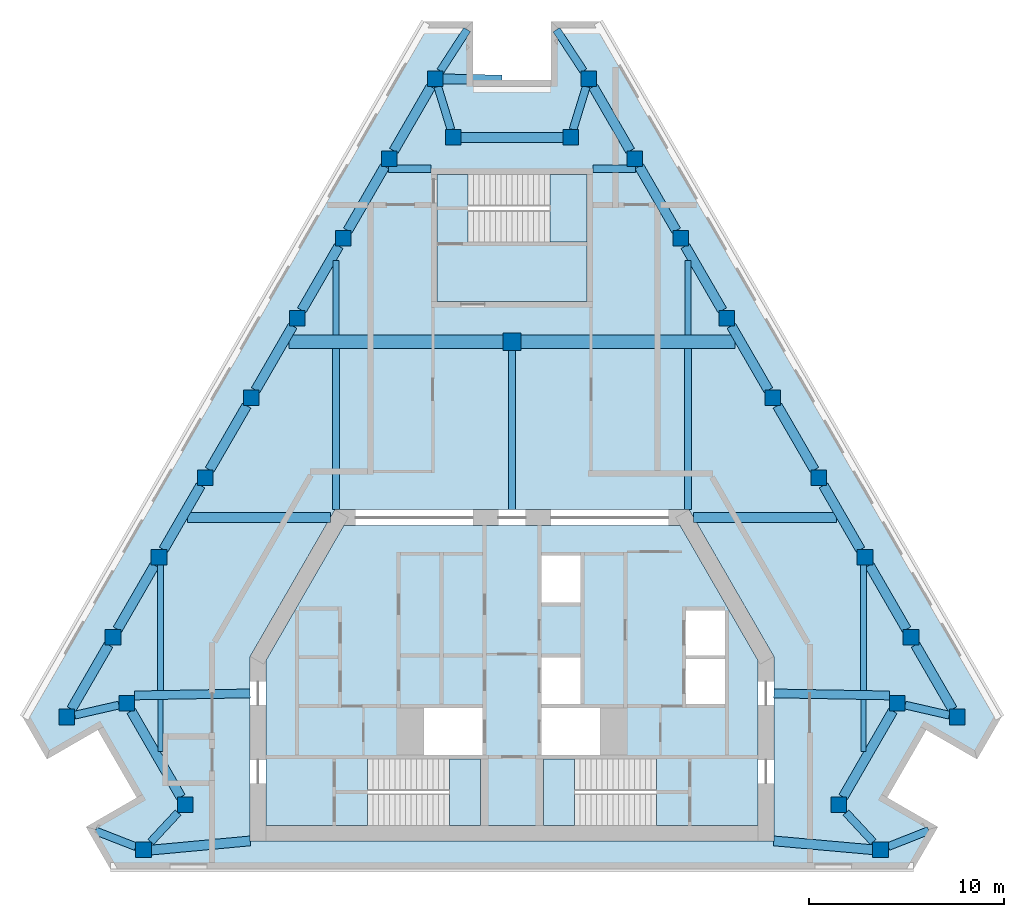
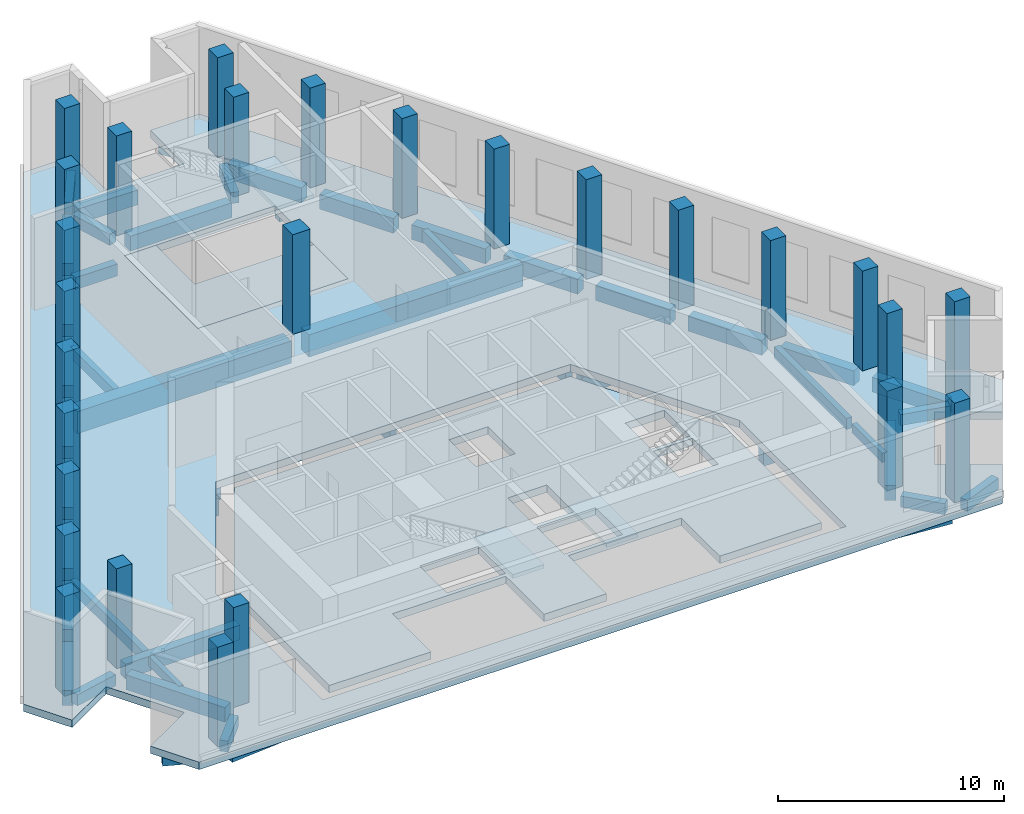
# One storey, part 1 of 8: 49 beams, 27 columns, 6 slabs, 3 elements without a shape of their own.
"""IFC4 building model written with IfcOpenShell, lengths in metres."""

from ifc_helpers import new_model, si_unit, direction, frame, origin, origin_2d, place, context, subcontext, project, spatial, polyline, rectangle, outline, extrude, material, layer, layer_set, material_profile, profile_set, type_object, element, aggregate, save


model = new_model("IFC4")

# Units and contexts
model_context = context("Model", 3, precision=1e-05, world=origin(), true_north=direction((0.0, 1.0)))
body_context = subcontext(model_context, "Body", "Model", "MODEL_VIEW")
ifc_project = project(units=[si_unit("LENGTHUNIT", "METRE"), si_unit("AREAUNIT", "SQUARE_METRE"), si_unit("VOLUMEUNIT", "CUBIC_METRE"), si_unit("PLANEANGLEUNIT", "RADIAN"), si_unit("MASSUNIT", "GRAM", prefix="KILO")], contexts=[model_context])

# Site, building, storey
site_placement = place(None, origin())
site = spatial("IfcSite", under=ifc_project, at=site_placement, CompositionType="ELEMENT")
building_placement = place(site_placement, origin())
building = spatial("IfcBuilding", under=site, at=building_placement, Name="Fogline Exchange Tower", CompositionType="ELEMENT")
storey_placement = place(building_placement, frame((0.0, 0.0, 304.5)))
storey = spatial("IfcBuildingStorey", under=building, at=storey_placement, Name="L69", CompositionType="ELEMENT", Elevation=304.5)

# Columns
ifc_material_1 = material(Name="Concrete C60", Category="concrete")
ifc_material_profile_1 = material_profile(ifc_material_1, rectangle(XDim=0.89990234375, YDim=0.89990234375, at=origin_2d()), Name="RC 900x900")
ifc_profile_set_1 = profile_set([ifc_material_profile_1], Name="Concrete C60")
column_type_1 = type_object("IfcColumnType", Name="C06", PredefinedType="COLUMN", material=ifc_profile_set_1)
column_placement = place(storey_placement, frame((0.0, 27.0, 0.0), z_axis=(0.0, 0.0, 1.0), x_axis=(1.0, 0.0, 0.0)))
element("IfcColumn", 1, at=column_placement, inside=storey, type_object=column_type_1, Name="IC-0-27", PredefinedType="COLUMN", context=body_context, shape_type="SweptSolid", body=[
    extrude(rectangle(XDim=0.89990234375, YDim=0.89990234375, at=origin_2d()), origin(), (0.0, 0.0, 1.0), 5.39990234375),
])
ifc_material_profile_2 = material_profile(ifc_material_1, rectangle(XDim=0.800048828125, YDim=0.800048828125, at=origin_2d()), Name="RC 800x800")
ifc_profile_set_2 = profile_set([ifc_material_profile_2], Name="Concrete C60")
column_type_2 = type_object("IfcColumnType", Name="C07", PredefinedType="COLUMN", material=ifc_profile_set_2)
for number, where, z_axis, x_axis, name in (
    (2, (-22.7802734375, 7.794189453125, 0.0), (0.0, 0.0, 1.0), (1.0, 0.0, 0.0), "SW-a"),
    (3, (-19.720947265625, 8.4951171875, 0.0), (0.0, 0.0, 1.0), (1.0, 0.0, 0.0), "SW-p4"),
    (4, (-16.720947265625, 3.299072265625, 0.0), (0.0, 0.0, 1.0), (1.0, 0.0, 0.0), "SW-p3"),
    (5, (-18.857666015625, 1.0, 0.0), (0.0, 0.0, 1.0), (1.0, 0.0, 0.0), "SW-b"),
    (6, (18.857666015625, 1.0, 0.0), (0.0, 0.0, 1.0), (1.0, 0.0, 0.0), "SE-a"),
    (7, (16.720947265625, 3.299072265625, 0.0), (0.0, 0.0, 1.0), (1.0, 0.0, 0.0), "SE-p4"),
    (8, (19.720947265625, 8.4951171875, 0.0), (0.0, 0.0, 1.0), (1.0, 0.0, 0.0), "SE-p3"),
    (9, (22.7802734375, 7.794189453125, 0.0), (0.0, 0.0, 1.0), (1.0, 0.0, 0.0), "SE-b"),
    (10, (20.423095703125, 11.876953125, 0.0), (0.0, 0.0, 1.0), (1.0, 0.0, 0.0), "E1"),
    (11, (18.06591796875, 15.959716796875, 0.0), (0.0, 0.0, 1.0), (1.0, 0.0, 0.0), "E2"),
    (12, (15.708740234375, 20.04248046875, 0.0), (0.0, 0.0, 1.0), (1.0, 0.0, 0.0), "E3"),
    (13, (13.3515625, 24.12548828125, 0.0), (0.0, 0.0, 1.0), (1.0, 0.0, 0.0), "E4"),
    (14, (10.994384765625, 28.208251953125, 0.0), (0.0, 0.0, 1.0), (1.0, 0.0, 0.0), "E5"),
    (15, (8.63720703125, 32.291015625, 0.0), (0.0, 0.0, 1.0), (1.0, 0.0, 0.0), "E6"),
    (16, (6.27978515625, 36.373779296875, 0.0), (0.0, 0.0, 1.0), (1.0, 0.0, 0.0), "E7"),
    (17, (3.922607421875, 40.456787109375, 0.0), (0.0, 0.0, 1.0), (1.0, 0.0, 0.0), "N-a"),
    (18, (3.0, 37.456787109375, 0.0), (0.0, 0.0, 1.0), (1.0, 0.0, 0.0), "N-p4"),
    (19, (-3.0, 37.456787109375, 0.0), (0.0, 0.0, 1.0), (1.0, 0.0, 0.0), "N-p3"),
    (20, (-3.922607421875, 40.456787109375, 0.0), (0.0, 0.0, 1.0), (1.0, 0.0, 0.0), "N-b"),
    (21, (-6.27978515625, 36.373779296875, 0.0), (0.0, 0.0, 1.0), (1.0, 0.0, 0.0), "W1"),
    (22, (-8.63720703125, 32.291015625, 0.0), (0.0, 0.0, 1.0), (1.0, 0.0, 0.0), "W2"),
    (23, (-10.994384765625, 28.208251953125, 0.0), (0.0, 0.0, 1.0), (1.0, 0.0, 0.0), "W3"),
    (24, (-13.3515625, 24.12548828125, 0.0), (0.0, 0.0, 1.0), (1.0, 0.0, 0.0), "W4"),
    (25, (-15.708740234375, 20.04248046875, 0.0), (0.0, 0.0, 1.0), (1.0, 0.0, 0.0), "W5"),
    (26, (-18.06591796875, 15.959716796875, 0.0), (0.0, 0.0, 1.0), (1.0, 0.0, 0.0), "W6"),
    (27, (-20.423095703125, 11.876953125, 0.0), (0.0, 0.0, 1.0), (1.0, 0.0, 0.0), "W7"),
):
    element("IfcColumn", number, at=place(storey_placement, frame(where, z_axis=z_axis, x_axis=x_axis)), inside=storey, type_object=column_type_2, Name=name, PredefinedType="COLUMN", context=body_context, shape_type="SweptSolid", body=[
        extrude(rectangle(XDim=0.800048828125, YDim=0.800048828125, at=origin_2d()), origin(), (0.0, 0.0, 1.0), 5.39990234375),
    ])

# Beams
ifc_material_2 = material(Name="Concrete C40", Category="concrete")
ifc_material_profile_3 = material_profile(ifc_material_2, rectangle(XDim=0.300048828125, YDim=0.60009765625, at=origin_2d()), Name="RC 300x600")
ifc_profile_set_3 = profile_set([ifc_material_profile_3], Name="Concrete C40")
beam_type_1 = type_object("IfcBeamType", Name="B06", PredefinedType="BEAM", material=ifc_profile_set_3)
beam_1_placement = place(storey_placement, frame((-18.0, 9.1435546875, -0.699951171875), z_axis=(0.0, 1.0, 0.0), x_axis=(-1.0, 0.0, 0.0)))
element("IfcBeam", 28, at=beam_1_placement, inside=storey, type_object=beam_type_1, Name="SB002", PredefinedType="BEAM", context=body_context, shape_type="SweptSolid", body=[
    extrude(rectangle(XDim=0.300048828125, YDim=0.60009765625, at=origin_2d()), origin(), (0.0, 0.0, 1.0), 6.416259765625),
])
for number, where, z_axis, x_axis, name in (
    (29, (-9.0, 27.35009765625, -0.699951171875), (0.0, 1.0, 0.0), (-1.0, 0.0, 0.0), "SB004"),
    (30, (9.0, 27.35009765625, -0.699951171875), (0.0, 1.0, 0.0), (-1.0, 0.0, 0.0), "SB007"),
):
    element("IfcBeam", number, at=place(storey_placement, frame(where, z_axis=z_axis, x_axis=x_axis)), inside=storey, type_object=beam_type_1, Name=name, PredefinedType="BEAM", context=body_context, shape_type="SweptSolid", body=[
        extrude(rectangle(XDim=0.300048828125, YDim=0.60009765625, at=origin_2d()), origin(), (0.0, 0.0, 1.0), 3.812255859375),
    ])
beam_2_placement = place(storey_placement, frame((18.0, 9.1435546875, -0.699951171875), z_axis=(0.0, 1.0, 0.0), x_axis=(-1.0, 0.0, 0.0)))
element("IfcBeam", 31, at=beam_2_placement, inside=storey, type_object=beam_type_1, Name="SB009", PredefinedType="BEAM", context=body_context, shape_type="SweptSolid", body=[
    extrude(rectangle(XDim=0.300048828125, YDim=0.60009765625, at=origin_2d()), origin(), (0.0, 0.0, 1.0), 6.416259765625),
])
ifc_material_profile_4 = material_profile(ifc_material_2, rectangle(XDim=0.25, YDim=0.5, at=origin_2d()), Name="RC 250x500")
ifc_profile_set_4 = profile_set([ifc_material_profile_4], Name="Concrete C40")
beam_type_2 = type_object("IfcBeamType", Name="B08", PredefinedType="BEAM", material=ifc_profile_set_4)
for number, where, z_axis, x_axis, name in (
    (32, (-18.0, 6.014404296875, -0.64990234375), (0.0, 1.0, 0.0), (-1.0, 0.0, 0.0), "SB001"),
    (33, (18.0, 6.014404296875, -0.64990234375), (0.0, 1.0, 0.0), (-1.0, 0.0, 0.0), "SB008"),
):
    element("IfcBeam", number, at=place(storey_placement, frame(where, z_axis=z_axis, x_axis=x_axis)), inside=storey, type_object=beam_type_2, Name=name, PredefinedType="BEAM", context=body_context, shape_type="SweptSolid", body=[
        extrude(rectangle(XDim=0.25, YDim=0.5, at=origin_2d()), origin(), (0.0, 0.0, 1.0), 2.67919921875),
    ])
ifc_material_profile_5 = material_profile(ifc_material_2, rectangle(XDim=0.5, YDim=0.800048828125, at=origin_2d()), Name="RC 500x800")
ifc_profile_set_5 = profile_set([ifc_material_profile_5], Name="Concrete C40")
beam_type_3 = type_object("IfcBeamType", Name="B10", PredefinedType="BEAM", material=ifc_profile_set_5)
beam_3_placement = place(storey_placement, frame((-19.489990234375, 8.09521484375, -0.800048828125), z_axis=(0.499987508774, -0.866032615477, 0.0), x_axis=(0.866032615477, 0.499987508774, 0.0)))
element("IfcBeam", 34, at=beam_3_placement, inside=storey, type_object=beam_type_3, Name="RB002", PredefinedType="BEAM", context=body_context, shape_type="SweptSolid", body=[
    extrude(rectangle(XDim=0.5, YDim=0.800048828125, at=origin_2d()), origin(), (0.0, 0.0, 1.0), 5.076416015625),
])
beam_4_placement = place(storey_placement, frame((-18.457763671875, 0.981689453125, -0.800048828125), z_axis=(0.995741736268, 0.092186737952, 0.0), x_axis=(-0.092186737952, 0.995741736268, 0.0)))
element("IfcBeam", 35, at=beam_4_placement, inside=storey, type_object=beam_type_3, Name="RB004", PredefinedType="BEAM", context=body_context, shape_type="SweptSolid", body=[
    extrude(rectangle(XDim=0.5, YDim=0.800048828125, at=origin_2d()), origin(), (0.0, 0.0, 1.0), 5.07958984375),
])
beam_5_placement = place(storey_placement, frame((13.39990234375, 1.449951171875, -0.800048828125), z_axis=(0.996066324908, -0.088610814153, 0.0), x_axis=(0.088610814153, 0.996066324908, 0.0)))
element("IfcBeam", 36, at=beam_5_placement, inside=storey, type_object=beam_type_3, Name="RB005", PredefinedType="BEAM", context=body_context, shape_type="SweptSolid", body=[
    extrude(rectangle(XDim=0.5, YDim=0.800048828125, at=origin_2d()), origin(), (0.0, 0.0, 1.0), 5.077880859375),
])
beam_6_placement = place(storey_placement, frame((16.951904296875, 3.698974609375, -0.800048828125), z_axis=(0.499987508774, 0.866032615477, 0.0), x_axis=(-0.866032615477, 0.499987508774, 0.0)))
element("IfcBeam", 37, at=beam_6_placement, inside=storey, type_object=beam_type_3, Name="RB007", PredefinedType="BEAM", context=body_context, shape_type="SweptSolid", body=[
    extrude(rectangle(XDim=0.5, YDim=0.800048828125, at=origin_2d()), origin(), (0.0, 0.0, 1.0), 5.076416015625),
])
beam_7_placement = place(storey_placement, frame((22.54931640625, 8.194091796875, -0.800048828125), z_axis=(-0.499969613651, 0.86604294664, 0.0), x_axis=(-0.86604294664, -0.499969613651, 0.0)))
element("IfcBeam", 38, at=beam_7_placement, inside=storey, type_object=beam_type_3, Name="RB009", PredefinedType="BEAM", context=body_context, shape_type="SweptSolid", body=[
    extrude(rectangle(XDim=0.5, YDim=0.800048828125, at=origin_2d()), origin(), (0.0, 0.0, 1.0), 3.790771484375),
])
for number, where, z_axis, x_axis, name in (
    (39, (20.192138671875, 12.277099609375, -0.800048828125), (-0.499997501644, 0.866026846206, 0.0), (-0.866026846206, -0.499997501644, 0.0), "RB010"),
    (40, (17.8349609375, 16.35986328125, -0.800048828125), (-0.499997501644, 0.866026846206, 0.0), (-0.866026846206, -0.499997501644, 0.0), "RB011"),
    (41, (15.477783203125, 20.442626953125, -0.800048828125), (-0.499997501644, 0.866026846206, 0.0), (-0.866026846206, -0.499997501644, 0.0), "RB012"),
):
    element("IfcBeam", number, at=place(storey_placement, frame(where, z_axis=z_axis, x_axis=x_axis)), inside=storey, type_object=beam_type_3, Name=name, PredefinedType="BEAM", context=body_context, shape_type="SweptSolid", body=[
        extrude(rectangle(XDim=0.5, YDim=0.800048828125, at=origin_2d()), origin(), (0.0, 0.0, 1.0), 3.79052734375),
    ])
for number, where, z_axis, x_axis, name in (
    (42, (13.12060546875, 24.525390625, -0.800048828125), (-0.500045805297, 0.865998956469, 0.0), (-0.865998956469, -0.500045805297, 0.0), "RB013"),
    (43, (10.76318359375, 28.608154296875, -0.800048828125), (-0.499969613651, 0.86604294664, 0.0), (-0.86604294664, -0.499969613651, 0.0), "RB014"),
    (44, (8.406005859375, 32.69091796875, -0.800048828125), (-0.499969613651, 0.86604294664, 0.0), (-0.86604294664, -0.499969613651, 0.0), "RB015"),
    (45, (6.048828125, 36.773681640625, -0.800048828125), (-0.499969613651, 0.86604294664, 0.0), (-0.86604294664, -0.499969613651, 0.0), "RB016"),
):
    element("IfcBeam", number, at=place(storey_placement, frame(where, z_axis=z_axis, x_axis=x_axis)), inside=storey, type_object=beam_type_3, Name=name, PredefinedType="BEAM", context=body_context, shape_type="SweptSolid", body=[
        extrude(rectangle(XDim=0.5, YDim=0.800048828125, at=origin_2d()), origin(), (0.0, 0.0, 1.0), 3.790771484375),
    ])
beam_8_placement = place(storey_placement, frame((2.60009765625, 37.456787109375, -0.800048828125), z_axis=(-1.0, 0.0, 0.0), x_axis=(0.0, -1.0, 0.0)))
element("IfcBeam", 46, at=beam_8_placement, inside=storey, type_object=beam_type_3, Name="RB018", PredefinedType="BEAM", context=body_context, shape_type="SweptSolid", body=[
    extrude(rectangle(XDim=0.5, YDim=0.800048828125, at=origin_2d()), origin(), (0.0, 0.0, 1.0), 5.2001953125),
])
for number, where, z_axis, x_axis, name in (
    (47, (-4.153564453125, 40.056640625, -0.800048828125), (-0.499969613651, -0.86604294664, 0.0), (0.86604294664, -0.499969613651, 0.0), "RB020"),
    (48, (-6.5107421875, 35.973876953125, -0.800048828125), (-0.499969613651, -0.86604294664, 0.0), (0.86604294664, -0.499969613651, 0.0), "RB021"),
    (49, (-8.867919921875, 31.89111328125, -0.800048828125), (-0.499969613651, -0.86604294664, 0.0), (0.86604294664, -0.499969613651, 0.0), "RB022"),
    (50, (-11.22509765625, 27.80810546875, -0.800048828125), (-0.500045805297, -0.865998956469, 0.0), (0.865998956469, -0.500045805297, 0.0), "RB023"),
):
    element("IfcBeam", number, at=place(storey_placement, frame(where, z_axis=z_axis, x_axis=x_axis)), inside=storey, type_object=beam_type_3, Name=name, PredefinedType="BEAM", context=body_context, shape_type="SweptSolid", body=[
        extrude(rectangle(XDim=0.5, YDim=0.800048828125, at=origin_2d()), origin(), (0.0, 0.0, 1.0), 3.790771484375),
    ])
for number, where, z_axis, x_axis, name in (
    (51, (-13.58251953125, 23.725341796875, -0.800048828125), (-0.499997501644, -0.866026846206, 0.0), (0.866026846206, -0.499997501644, 0.0), "RB024"),
    (52, (-15.939697265625, 19.642578125, -0.800048828125), (-0.499997501644, -0.866026846206, 0.0), (0.866026846206, -0.499997501644, 0.0), "RB025"),
    (53, (-18.296875, 15.559814453125, -0.800048828125), (-0.499997501644, -0.866026846206, 0.0), (0.866026846206, -0.499997501644, 0.0), "RB026"),
):
    element("IfcBeam", number, at=place(storey_placement, frame(where, z_axis=z_axis, x_axis=x_axis)), inside=storey, type_object=beam_type_3, Name=name, PredefinedType="BEAM", context=body_context, shape_type="SweptSolid", body=[
        extrude(rectangle(XDim=0.5, YDim=0.800048828125, at=origin_2d()), origin(), (0.0, 0.0, 1.0), 3.79052734375),
    ])
beam_9_placement = place(storey_placement, frame((-20.654052734375, 11.47705078125, -0.800048828125), z_axis=(-0.499969613651, -0.86604294664, 0.0), x_axis=(0.86604294664, -0.499969613651, 0.0)))
element("IfcBeam", 54, at=beam_9_placement, inside=storey, type_object=beam_type_3, Name="RB027", PredefinedType="BEAM", context=body_context, shape_type="SweptSolid", body=[
    extrude(rectangle(XDim=0.5, YDim=0.800048828125, at=origin_2d()), origin(), (0.0, 0.0, 1.0), 3.790771484375),
])
beam_10_placement = place(storey_placement, frame((-3.522705078125, 40.449951171875, -0.800048828125), z_axis=(0.999861680238, -0.016631908832, 0.0), x_axis=(0.016631908832, 0.999861680238, 0.0)))
element("IfcBeam", 55, at=beam_10_placement, inside=storey, type_object=beam_type_3, Name="SP032", PredefinedType="BEAM", context=body_context, shape_type="SweptSolid", body=[
    extrude(rectangle(XDim=0.5, YDim=0.800048828125, at=origin_2d()), origin(), (0.0, 0.0, 1.0), 3.00927734375),
])
ifc_material_profile_6 = material_profile(ifc_material_2, rectangle(XDim=0.39990234375, YDim=0.60009765625, at=origin_2d()), Name="RC 400x600")
ifc_profile_set_6 = profile_set([ifc_material_profile_6], Name="Concrete C40")
beam_type_4 = type_object("IfcBeamType", Name="B11", PredefinedType="BEAM", material=ifc_profile_set_6)
beam_11_placement = place(storey_placement, frame((-22.38037109375, 7.885986328125, -0.699951171875), z_axis=(0.974753812703, 0.223282342834, 0.0), x_axis=(-0.223282342834, 0.974753812703, 0.0)))
element("IfcBeam", 56, at=beam_11_placement, inside=storey, type_object=beam_type_4, Name="RB001", PredefinedType="BEAM", context=body_context, shape_type="SweptSolid", body=[
    extrude(rectangle(XDim=0.39990234375, YDim=0.60009765625, at=origin_2d()), origin(), (0.0, 0.0, 1.0), 2.318115234375),
])
for number, where, z_axis, x_axis, name in (
    (57, (-17.0927734375, 2.89892578125, -0.699951171875), (-0.680743909802, -0.732521487239, 0.0), (0.732521487239, -0.680743909802, 0.0), "RB003"),
    (58, (18.48583984375, 1.39990234375, -0.699951171875), (-0.680743909802, 0.732521487239, 0.0), (-0.732521487239, -0.680743909802, 0.0), "RB006"),
):
    element("IfcBeam", number, at=place(storey_placement, frame(where, z_axis=z_axis, x_axis=x_axis)), inside=storey, type_object=beam_type_4, Name=name, PredefinedType="BEAM", context=body_context, shape_type="SweptSolid", body=[
        extrude(rectangle(XDim=0.39990234375, YDim=0.60009765625, at=origin_2d()), origin(), (0.0, 0.0, 1.0), 2.04638671875),
    ])
beam_12_placement = place(storey_placement, frame((20.120849609375, 8.403564453125, -0.699951171875), z_axis=(0.974753812703, -0.223282342834, 0.0), x_axis=(0.223282342834, 0.974753812703, 0.0)))
element("IfcBeam", 59, at=beam_12_placement, inside=storey, type_object=beam_type_4, Name="RB008", PredefinedType="BEAM", context=body_context, shape_type="SweptSolid", body=[
    extrude(rectangle(XDim=0.39990234375, YDim=0.60009765625, at=origin_2d()), origin(), (0.0, 0.0, 1.0), 2.318115234375),
])
for number, where, z_axis, x_axis, name in (
    (60, (3.799560546875, 40.056640625, -0.699951171875), (-0.293929314998, -0.955827158949, 0.0), (0.955827158949, -0.293929314998, 0.0), "RB017"),
    (61, (-3.123046875, 37.856689453125, -0.699951171875), (-0.293929314998, 0.955827158949, 0.0), (-0.955827158949, -0.293929314998, 0.0), "RB019"),
):
    element("IfcBeam", number, at=place(storey_placement, frame(where, z_axis=z_axis, x_axis=x_axis)), inside=storey, type_object=beam_type_4, Name=name, PredefinedType="BEAM", context=body_context, shape_type="SweptSolid", body=[
        extrude(rectangle(XDim=0.39990234375, YDim=0.60009765625, at=origin_2d()), origin(), (0.0, 0.0, 1.0), 2.301513671875),
    ])
beam_13_placement = place(storey_placement, frame((3.66015625, 40.856689453125, -0.699951171875), z_axis=(-0.548529780457, 0.836131018413, 0.0), x_axis=(-0.836131018413, -0.548529780457, 0.0)))
element("IfcBeam", 62, at=beam_13_placement, inside=storey, type_object=beam_type_4, Name="SP028", PredefinedType="BEAM", context=body_context, shape_type="SweptSolid", body=[
    extrude(rectangle(XDim=0.39990234375, YDim=0.60009765625, at=origin_2d()), origin(), (0.0, 0.0, 1.0), 2.5263671875),
])
beam_14_placement = place(storey_placement, frame((-3.663818359375, 40.856689453125, -0.699951171875), z_axis=(0.543311543081, 0.839531159133, 0.0), x_axis=(-0.839531159133, 0.543311543081, 0.0)))
element("IfcBeam", 63, at=beam_14_placement, inside=storey, type_object=beam_type_4, Name="SP029", PredefinedType="BEAM", context=body_context, shape_type="SweptSolid", body=[
    extrude(rectangle(XDim=0.39990234375, YDim=0.60009765625, at=origin_2d()), origin(), (0.0, 0.0, 1.0), 2.51953125),
])
beam_15_placement = place(storey_placement, frame((19.2578125, 1.15869140625, -0.699951171875), z_axis=(0.929408593718, 0.369052389131, 0.0), x_axis=(-0.369052389131, 0.929408593718, 0.0)))
element("IfcBeam", 64, at=beam_15_placement, inside=storey, type_object=beam_type_4, Name="SP030", PredefinedType="BEAM", context=body_context, shape_type="SweptSolid", body=[
    extrude(rectangle(XDim=0.39990234375, YDim=0.60009765625, at=origin_2d()), origin(), (0.0, 0.0, 1.0), 2.2333984375),
])
beam_16_placement = place(storey_placement, frame((-19.2578125, 1.156005859375, -0.699951171875), z_axis=(-0.931495799257, 0.363752080362, 0.0), x_axis=(-0.363752080362, -0.931495799257, 0.0)))
element("IfcBeam", 65, at=beam_16_placement, inside=storey, type_object=beam_type_4, Name="SP031", PredefinedType="BEAM", context=body_context, shape_type="SweptSolid", body=[
    extrude(rectangle(XDim=0.39990234375, YDim=0.60009765625, at=origin_2d()), origin(), (0.0, 0.0, 1.0), 2.218994140625),
])
ifc_material_profile_7 = material_profile(ifc_material_2, rectangle(XDim=0.39990234375, YDim=0.64990234375, at=origin_2d()), Name="RC 400x650")
ifc_profile_set_7 = profile_set([ifc_material_profile_7], Name="Concrete C40")
beam_type_5 = type_object("IfcBeamType", Name="B13", PredefinedType="BEAM", material=ifc_profile_set_7)
for number, where, z_axis, x_axis, name in (
    (66, (-6.308349609375, 35.85693359375, -0.72509765625), (1.0, 0.0, 0.0), (0.0, 1.0, 0.0), "GB007"),
    (67, (4.14990234375, 35.85693359375, -0.72509765625), (1.0, 0.0, 0.0), (0.0, 1.0, 0.0), "GB008"),
):
    element("IfcBeam", number, at=place(storey_placement, frame(where, z_axis=z_axis, x_axis=x_axis)), inside=storey, type_object=beam_type_5, Name=name, PredefinedType="BEAM", context=body_context, shape_type="SweptSolid", body=[
        extrude(rectangle(XDim=0.39990234375, YDim=0.64990234375, at=origin_2d()), origin(), (0.0, 0.0, 1.0), 2.158447265625),
    ])
ifc_material_profile_8 = material_profile(ifc_material_2, rectangle(XDim=0.5, YDim=0.949951171875, at=origin_2d()), Name="RC 500x950")
ifc_profile_set_8 = profile_set([ifc_material_profile_8], Name="Concrete C40")
beam_type_6 = type_object("IfcBeamType", Name="B14", PredefinedType="BEAM", material=ifc_profile_set_8)
for number, where, z_axis, x_axis, name in (
    (68, (-16.599365234375, 18.0, -0.875), (1.0, 0.0, 0.0), (0.0, 1.0, 0.0), "GB003"),
    (69, (9.296142578125, 18.0, -0.875), (1.0, 0.0, 0.0), (0.0, 1.0, 0.0), "GB004"),
):
    element("IfcBeam", number, at=place(storey_placement, frame(where, z_axis=z_axis, x_axis=x_axis)), inside=storey, type_object=beam_type_6, Name=name, PredefinedType="BEAM", context=body_context, shape_type="SweptSolid", body=[
        extrude(rectangle(XDim=0.5, YDim=0.949951171875, at=origin_2d()), origin(), (0.0, 0.0, 1.0), 7.30322265625),
    ])
ifc_material_profile_9 = material_profile(ifc_material_2, rectangle(XDim=0.35009765625, YDim=0.64990234375, at=origin_2d()), Name="RC 350x650")
ifc_profile_set_9 = profile_set([ifc_material_profile_9], Name="Concrete C40")
beam_type_7 = type_object("IfcBeamType", Name="B16", PredefinedType="BEAM", material=ifc_profile_set_9)
beam_17_placement = place(storey_placement, frame((-9.0, 18.39990234375, -0.72509765625), z_axis=(0.0, 1.0, 0.0), x_axis=(-1.0, 0.0, 0.0)))
element("IfcBeam", 70, at=beam_17_placement, inside=storey, type_object=beam_type_7, Name="SB003", PredefinedType="BEAM", context=body_context, shape_type="SweptSolid", body=[
    extrude(rectangle(XDim=0.35009765625, YDim=0.64990234375, at=origin_2d()), origin(), (0.0, 0.0, 1.0), 8.25),
])
beam_18_placement = place(storey_placement, frame((0.0, 18.39990234375, -0.72509765625), z_axis=(0.0, 1.0, 0.0), x_axis=(-1.0, 0.0, 0.0)))
element("IfcBeam", 71, at=beam_18_placement, inside=storey, type_object=beam_type_7, Name="SB005", PredefinedType="BEAM", context=body_context, shape_type="SweptSolid", body=[
    extrude(rectangle(XDim=0.35009765625, YDim=0.64990234375, at=origin_2d()), origin(), (0.0, 0.0, 1.0), 8.150146484375),
])
beam_19_placement = place(storey_placement, frame((9.0, 18.39990234375, -0.72509765625), z_axis=(0.0, 1.0, 0.0), x_axis=(-1.0, 0.0, 0.0)))
element("IfcBeam", 72, at=beam_19_placement, inside=storey, type_object=beam_type_7, Name="SB006", PredefinedType="BEAM", context=body_context, shape_type="SweptSolid", body=[
    extrude(rectangle(XDim=0.35009765625, YDim=0.64990234375, at=origin_2d()), origin(), (0.0, 0.0, 1.0), 8.25),
])
ifc_material_profile_10 = material_profile(ifc_material_2, rectangle(XDim=0.699951171875, YDim=1.199951171875, at=origin_2d()), Name="RC 700x1200")
ifc_profile_set_10 = profile_set([ifc_material_profile_10], Name="Concrete C40")
beam_type_8 = type_object("IfcBeamType", Name="B17", PredefinedType="BEAM", material=ifc_profile_set_10)
for number, where, z_axis, x_axis, name in (
    (73, (-11.4033203125, 27.0, -1.0), (1.0, 0.0, 0.0), (0.0, 1.0, 0.0), "GB005"),
    (74, (0.449951171875, 27.0, -1.0), (1.0, 0.0, 0.0), (0.0, 1.0, 0.0), "GB006"),
):
    element("IfcBeam", number, at=place(storey_placement, frame(where, z_axis=z_axis, x_axis=x_axis)), inside=storey, type_object=beam_type_8, Name=name, PredefinedType="BEAM", context=body_context, shape_type="SweptSolid", body=[
        extrude(rectangle(XDim=0.699951171875, YDim=1.199951171875, at=origin_2d()), origin(), (0.0, 0.0, 1.0), 10.953369140625),
    ])
ifc_material_profile_11 = material_profile(ifc_material_2, rectangle(XDim=0.449951171875, YDim=0.800048828125, at=origin_2d()), Name="RC 450x800")
ifc_profile_set_11 = profile_set([ifc_material_profile_11], Name="Concrete C40")
beam_type_9 = type_object("IfcBeamType", Name="B18", PredefinedType="BEAM", material=ifc_profile_set_11)
for number, where, z_axis, x_axis, name in (
    (75, (-19.32080078125, 8.895263671875, -0.800048828125), (0.9998435817, 0.017686495817, 0.0), (-0.017686495817, 0.9998435817, 0.0), "GB001"),
    (76, (13.39990234375, 9.0, -0.800048828125), (0.9998435817, -0.017686495817, 0.0), (0.017686495817, 0.9998435817, 0.0), "GB002"),
):
    element("IfcBeam", number, at=place(storey_placement, frame(where, z_axis=z_axis, x_axis=x_axis)), inside=storey, type_object=beam_type_9, Name=name, PredefinedType="BEAM", context=body_context, shape_type="SweptSolid", body=[
        extrude(rectangle(XDim=0.449951171875, YDim=0.800048828125, at=origin_2d()), origin(), (0.0, 0.0, 1.0), 5.921875),
    ])

# Slabs
ifc_layer_1 = layer(ifc_material_2, 0.39990234375)
ifc_layer_set_1 = layer_set([ifc_layer_1], Name="S03")
slab_type_1 = type_object("IfcSlabType", Name="S03", PredefinedType="FLOOR", material=ifc_layer_set_1)
slab_1_placement = place(storey_placement, frame((0.0, 0.0, -0.39990234375)))
element("IfcSlab", 77, at=slab_1_placement, inside=storey, type_object=slab_type_1, Name="SLAB L69", PredefinedType="FLOOR", context=body_context, shape_type="SweptSolid", body=[
    extrude(outline(polyline([(-2.0, 43.3916015625), (-4.5, 43.3916015625), (-25.05224609375, 7.794189453125), (-23.80224609375, 5.629150390625), (-21.2041015625, 7.129150390625), (-19.2041015625, 3.6650390625), (-21.80224609375, 2.1650390625), (-20.55224609375, 0.0), (20.55224609375, 0.0), (21.80224609375, 2.1650390625), (19.2041015625, 3.6650390625), (21.2041015625, 7.129150390625), (23.80224609375, 5.629150390625), (25.05224609375, 7.794189453125), (4.5, 43.3916015625), (2.0, 43.3916015625), (2.0, 40.3916015625), (-2.0, 40.3916015625), (-2.0, 43.3916015625)]), holes=[polyline([(13.39990234375, 10.891845703125), (13.39990234375, 1.449951171875), (-13.39990234375, 1.449951171875), (-13.39990234375, 10.891845703125), (-9.065185546875, 18.39990234375), (9.065185546875, 18.39990234375), (13.39990234375, 10.891845703125)]), polyline([(3.85009765625, 35.556884765625), (3.85009765625, 29.056884765625), (-3.85009765625, 29.056884765625), (-3.85009765625, 35.556884765625), (3.85009765625, 35.556884765625)])]), origin(), (0.0, 0.0, 1.0), 0.39990234375),
])
slab_2_placement = place(storey_placement, frame((0.0, 0.0, -0.39990234375)))
element("IfcSlab", 78, at=slab_2_placement, inside=storey, type_object=slab_type_1, Name="Core floor slab", PredefinedType="FLOOR", context=body_context, shape_type="SweptSolid", body=[
    extrude(outline(polyline([(-12.60009765625, 2.25), (-12.60009765625, 10.677490234375), (-8.603271484375, 17.60009765625), (8.603271484375, 17.60009765625), (12.60009765625, 10.677490234375), (12.60009765625, 2.25), (7.389892578125, 2.25), (7.389892578125, 5.64990234375), (1.60009765625, 5.64990234375), (1.60009765625, 2.25), (-1.60009765625, 2.25), (-1.60009765625, 5.64990234375), (-7.389892578125, 5.64990234375), (-7.389892578125, 2.25), (-12.60009765625, 2.25)]), holes=[polyline([(-4.5, 8.25), (-4.5, 5.85009765625), (-1.5, 5.85009765625), (-1.5, 8.25), (-4.5, 8.25)]), polyline([(1.5, 8.25), (1.5, 5.85009765625), (4.5, 5.85009765625), (4.5, 8.25), (1.5, 8.25)]), polyline([(8.89990234375, 10.75), (8.89990234375, 8.449951171875), (10.89990234375, 8.449951171875), (10.89990234375, 10.75), (8.89990234375, 10.75)]), polyline([(1.5, 10.85009765625), (1.5, 8.449951171875), (3.5, 8.449951171875), (3.5, 10.85009765625), (1.5, 10.85009765625)]), polyline([(8.89990234375, 13.25), (8.89990234375, 10.949951171875), (10.89990234375, 10.949951171875), (10.89990234375, 13.25), (8.89990234375, 13.25)]), polyline([(1.5, 16.050048828125), (1.5, 13.64990234375), (3.5, 13.64990234375), (3.5, 16.050048828125), (1.5, 16.050048828125)])]), origin(), (0.0, 0.0, 1.0), 0.39990234375),
])
slab_3_placement = place(storey_placement, frame((0.0, 0.0, -0.39990234375)))
element("IfcSlab", 79, at=slab_3_placement, inside=storey, type_object=slab_type_1, Name="Stair enclosure floor slab", PredefinedType="FLOOR", context=body_context, shape_type="SweptSolid", body=[
    extrude(outline(polyline([(3.85009765625, 29.056884765625), (-3.85009765625, 29.056884765625), (-3.85009765625, 35.556884765625), (-2.239990234375, 35.556884765625), (-2.239990234375, 32.10693359375), (3.85009765625, 32.10693359375), (3.85009765625, 29.056884765625)])), origin(), (0.0, 0.0, 1.0), 0.39990234375),
])

# Stair, slab
stair_type = type_object("IfcStairType", Name="STR32-1688", PredefinedType="HALF_TURN_STAIR", material=ifc_material_2)
stair_1_placement = place(storey_placement, origin())
stair_1 = element("IfcStair", 80, at=stair_1_placement, inside=storey, type_object=stair_type, Name="Stair ST1", PredefinedType="HALF_TURN_STAIR")
ifc_layer_2 = layer(ifc_material_2, 0.199951171875)
ifc_layer_set_2 = layer_set([ifc_layer_2], Name="SL200")
slab_type_2 = type_object("IfcSlabType", Name="SL200", PredefinedType="LANDING", material=ifc_layer_set_2)
slab_4_placement = place(storey_placement, frame((0.0, 0.0, 2.5)))
slab_4 = element("IfcSlab", 81, at=slab_4_placement, type_object=slab_type_2, Name="ST1 landing 1", PredefinedType="LANDING", context=body_context, shape_type="SweptSolid", body=[
    extrude(outline(polyline([(-3.199951171875, 2.25), (-1.60009765625, 2.25), (-1.60009765625, 5.64990234375), (-3.199951171875, 5.64990234375), (-3.199951171875, 2.25)])), origin(), (0.0, 0.0, 1.0), 0.199951171875),
])
aggregate(stair_1, [slab_4])

stair_2_placement = place(storey_placement, origin())
stair_2 = element("IfcStair", 82, at=stair_2_placement, inside=storey, type_object=stair_type, Name="Stair ST2", PredefinedType="HALF_TURN_STAIR")
slab_5_placement = place(storey_placement, frame((0.0, 0.0, 2.5)))
slab_5 = element("IfcSlab", 83, at=slab_5_placement, type_object=slab_type_2, Name="ST2 landing 1", PredefinedType="LANDING", context=body_context, shape_type="SweptSolid", body=[
    extrude(outline(polyline([(1.60009765625, 2.25), (3.199951171875, 2.25), (3.199951171875, 5.64990234375), (1.60009765625, 5.64990234375), (1.60009765625, 2.25)])), origin(), (0.0, 0.0, 1.0), 0.199951171875),
])
aggregate(stair_2, [slab_5])

stair_3_placement = place(storey_placement, origin())
stair_3 = element("IfcStair", 84, at=stair_3_placement, inside=storey, type_object=stair_type, Name="Stair ST3", PredefinedType="HALF_TURN_STAIR")
slab_6_placement = place(storey_placement, frame((0.0, 0.0, 2.5)))
slab_6 = element("IfcSlab", 85, at=slab_6_placement, type_object=slab_type_2, Name="ST3 landing 1", PredefinedType="LANDING", context=body_context, shape_type="SweptSolid", body=[
    extrude(outline(polyline([(1.949951171875, 32.10693359375), (3.85009765625, 32.10693359375), (3.85009765625, 35.556884765625), (1.949951171875, 35.556884765625), (1.949951171875, 32.10693359375)])), origin(), (0.0, 0.0, 1.0), 0.199951171875),
])
aggregate(stair_3, [slab_6])

save(model, "model.ifc")
